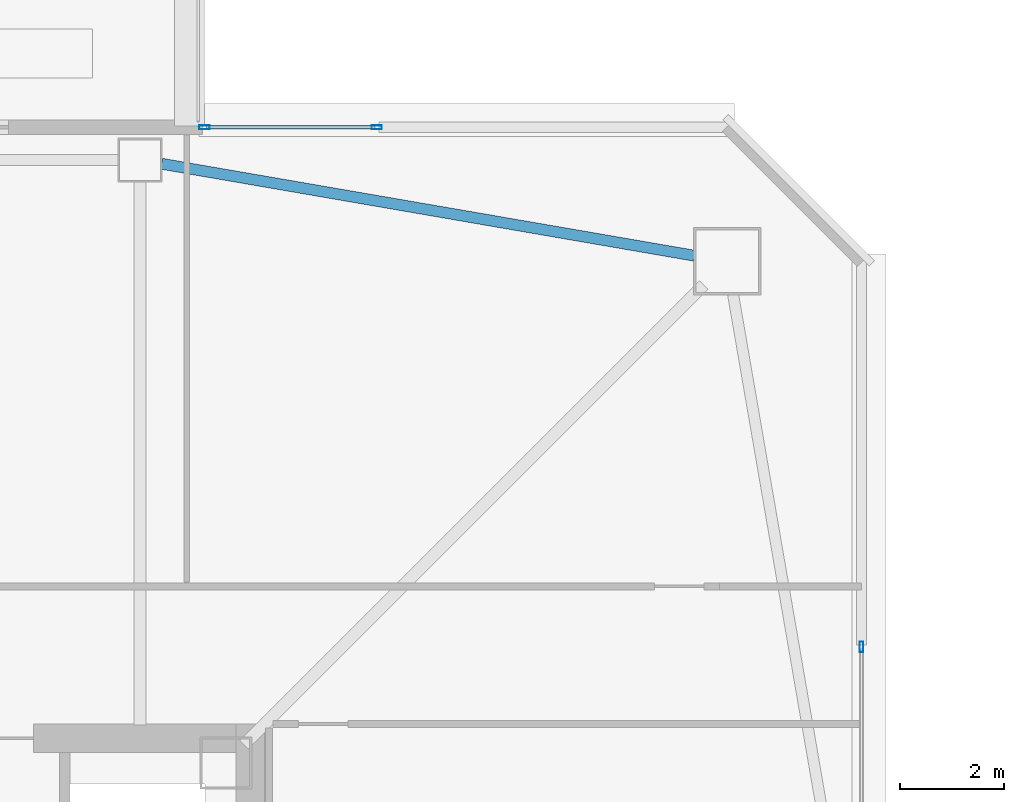
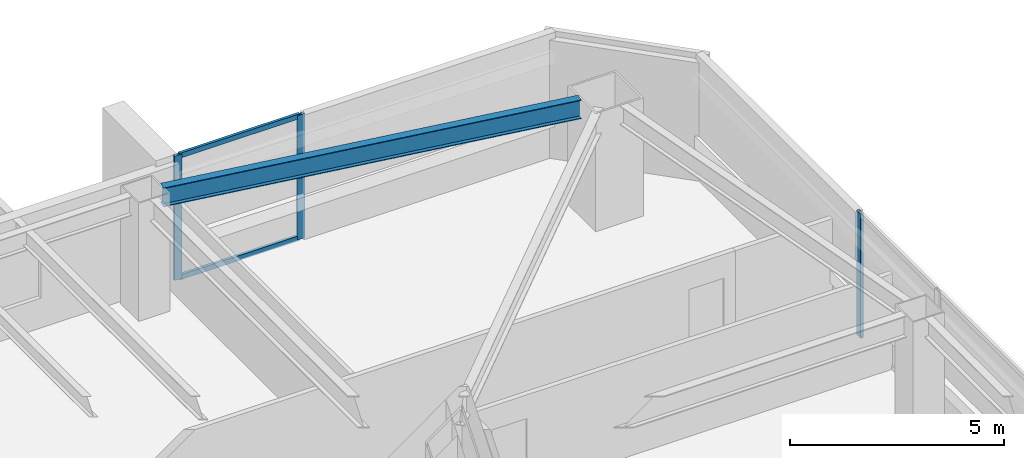
# One storey, part 15 of 41: 5 members, 1 beam, 2 elements without a shape of their own.
"""IFC4 building model written with IfcOpenShell, lengths in metres."""

from ifc_helpers import new_model, si_unit, direction, frame, origin, origin_2d, place, context, subcontext, project, spatial, hollow_rectangle, i_section, extrude, material, material_profile, profile_set, type_object, element, aggregate, save


model = new_model("IFC4")

# Units and contexts
model_context = context("Model", 3, precision=1e-05, world=origin(), true_north=direction((0.0, 1.0)))
body_context = subcontext(model_context, "Body", "Model", "MODEL_VIEW")
ifc_project = project(units=[si_unit("LENGTHUNIT", "METRE"), si_unit("AREAUNIT", "SQUARE_METRE"), si_unit("VOLUMEUNIT", "CUBIC_METRE"), si_unit("PLANEANGLEUNIT", "RADIAN"), si_unit("MASSUNIT", "GRAM", prefix="KILO")], contexts=[model_context])

# Site, building, storey
site_placement = place(None, origin())
site = spatial("IfcSite", under=ifc_project, at=site_placement, CompositionType="ELEMENT")
building_placement = place(site_placement, origin())
building = spatial("IfcBuilding", under=site, at=building_placement, Name="Tashvorn Skyway Center", CompositionType="ELEMENT")
storey_placement = place(building_placement, frame((0.0, 0.0, 146.35009765625)))
storey = spatial("IfcBuildingStorey", under=building, at=storey_placement, Name="L39", CompositionType="ELEMENT", Elevation=146.35009765625)

# Beam
ifc_material_1 = material(Name="Steel ASTM A992 Grade 50", Category="steel")
ifc_material_profile_1 = material_profile(ifc_material_1, i_section(OverallWidth=0.2109375, OverallDepth=0.5390625, WebThickness=0.01171875, FlangeThickness=0.018798828125, at=origin_2d()), Name="W21X73")
ifc_profile_set_1 = profile_set([ifc_material_profile_1], Name="Steel ASTM A992 Grade 50")
beam_type = type_object("IfcBeamType", Name="BM-SPANDREL-W21X73", PredefinedType="SPANDREL", material=ifc_profile_set_1)
beam_placement = place(storey_placement, frame((58.064453125, 48.8095703125, 3.100341796875), z_axis=(-0.985432458462, 0.170067250846, 0.0), x_axis=(-0.170067250846, -0.985432458462, 0.0)))
element("IfcBeam", 1, at=beam_placement, inside=storey, type_object=beam_type, Name="Tower 1 L39 Spandrel Beam 07", PredefinedType="SPANDREL", context=body_context, shape_type="SweptSolid", body=[
    extrude(i_section(OverallWidth=0.2109375, OverallDepth=0.5390625, WebThickness=0.01171875, FlangeThickness=0.018798828125, at=origin_2d()), origin(), (0.0, 0.0, 1.0), 10.402099609375),
])

# Curtain wall, members
ifc_material_2 = material(Name="Thermally broken bronze-anodized aluminium 6063-T6", Category="aluminium")
curtain_wall_type = type_object("IfcCurtainWallType", Name="CW-CW-Z3", PredefinedType="NOTDEFINED", material=ifc_material_2)
curtain_wall_1_placement = place(storey_placement, origin())
curtain_wall_1 = element("IfcCurtainWall", 2, at=curtain_wall_1_placement, inside=storey, type_object=curtain_wall_type, Name="Tower 1 L39 North Curtain Wall R Glazing Group 1", PredefinedType="NOTDEFINED")
ifc_material_profile_2 = material_profile(ifc_material_2, hollow_rectangle(XDim=0.074951171875, YDim=0.199951171875, WallThickness=0.00439453125, at=origin_2d()), Name="ALU-MULL-75x200")
ifc_profile_set_2 = profile_set([ifc_material_profile_2], Name="Thermally broken bronze-anodized aluminium 6063-T6")
member_type_1 = type_object("IfcMemberType", Name="CWM-CW-Z3", PredefinedType="MULLION", material=ifc_profile_set_2)
member_1_placement = place(storey_placement, frame((48.637451171875, 51.280029296875, 0.0), z_axis=(0.0, 0.0, 1.0), x_axis=(0.0, 1.0, 0.0)))
member_1 = element("IfcMember", 3, at=member_1_placement, type_object=member_type_1, Name="CW-Z3 mullion 1", PredefinedType="MULLION", context=body_context, shape_type="SweptSolid", body=[
    extrude(hollow_rectangle(XDim=0.074951171875, YDim=0.199951171875, WallThickness=0.00439453125, at=origin_2d()), origin(), (0.0, 0.0, 1.0), 3.5498046875),
])
member_2_placement = place(storey_placement, frame((51.955810546875, 51.280029296875, 0.0), z_axis=(0.0, 0.0, 1.0), x_axis=(0.0, 1.0, 0.0)))
member_2 = element("IfcMember", 4, at=member_2_placement, type_object=member_type_1, Name="CW-Z3 mullion 2", PredefinedType="MULLION", context=body_context, shape_type="SweptSolid", body=[
    extrude(hollow_rectangle(XDim=0.074951171875, YDim=0.199951171875, WallThickness=0.00439453125, at=origin_2d()), origin(), (0.0, 0.0, 1.0), 3.5498046875),
])

# Curtain wall, member
curtain_wall_2_placement = place(storey_placement, origin())
curtain_wall_2 = element("IfcCurtainWall", 5, at=curtain_wall_2_placement, inside=storey, type_object=curtain_wall_type, Name="Tower 1 L39 East Unitised Curtain Wall Glazing Group 1", PredefinedType="NOTDEFINED")
member_3_placement = place(storey_placement, frame((61.280029296875, 41.28466796875, 0.0), z_axis=(0.0, 0.0, 1.0), x_axis=(1.0, 0.0, 0.0)))
member_3 = element("IfcMember", 6, at=member_3_placement, type_object=member_type_1, Name="CW-Z3 mullion 1", PredefinedType="MULLION", context=body_context, shape_type="SweptSolid", body=[
    extrude(hollow_rectangle(XDim=0.074951171875, YDim=0.199951171875, WallThickness=0.00439453125, at=origin_2d()), origin(), (0.0, 0.0, 1.0), 3.5498046875),
])
aggregate(curtain_wall_2, [member_3])

# Member
ifc_material_profile_3 = material_profile(ifc_material_2, hollow_rectangle(XDim=0.074951171875, YDim=0.139892578125, WallThickness=0.004150390625, at=origin_2d()), Name="ALU-TRAN-75x140")
ifc_profile_set_3 = profile_set([ifc_material_profile_3], Name="Thermally broken bronze-anodized aluminium 6063-T6")
member_type_2 = type_object("IfcMemberType", Name="CWT-CW-Z3", PredefinedType="USERDEFINED", material=ifc_profile_set_3)
member_4_placement = place(storey_placement, frame((48.675048828125, 51.280029296875, 0.037353515625), z_axis=(1.0, 0.0, 0.0), x_axis=(0.0, 1.0, 0.0)))
member_4 = element("IfcMember", 7, at=member_4_placement, type_object=member_type_2, Name="CW-Z3 transom 1.1", ObjectType="TRANSOM", PredefinedType="USERDEFINED", context=body_context, shape_type="SweptSolid", body=[
    extrude(hollow_rectangle(XDim=0.074951171875, YDim=0.139892578125, WallThickness=0.004150390625, at=origin_2d()), origin(), (0.0, 0.0, 1.0), 3.2431640625),
])

member_5_placement = place(storey_placement, frame((48.675048828125, 51.280029296875, 3.512451171875), z_axis=(1.0, 0.0, 0.0), x_axis=(0.0, 1.0, 0.0)))
member_5 = element("IfcMember", 8, at=member_5_placement, type_object=member_type_2, Name="CW-Z3 transom 1.2", ObjectType="TRANSOM", PredefinedType="USERDEFINED", context=body_context, shape_type="SweptSolid", body=[
    extrude(hollow_rectangle(XDim=0.074951171875, YDim=0.139892578125, WallThickness=0.004150390625, at=origin_2d()), origin(), (0.0, 0.0, 1.0), 3.2431640625),
])

aggregate(curtain_wall_1, [member_1, member_2, member_4, member_5])

save(model, "model.ifc")
